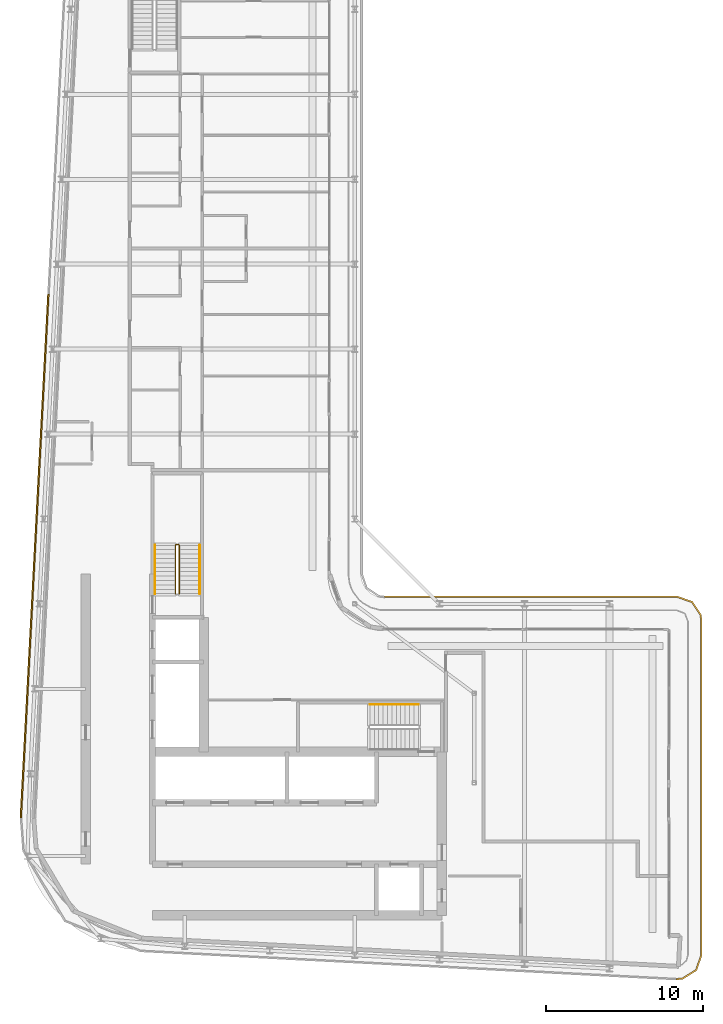
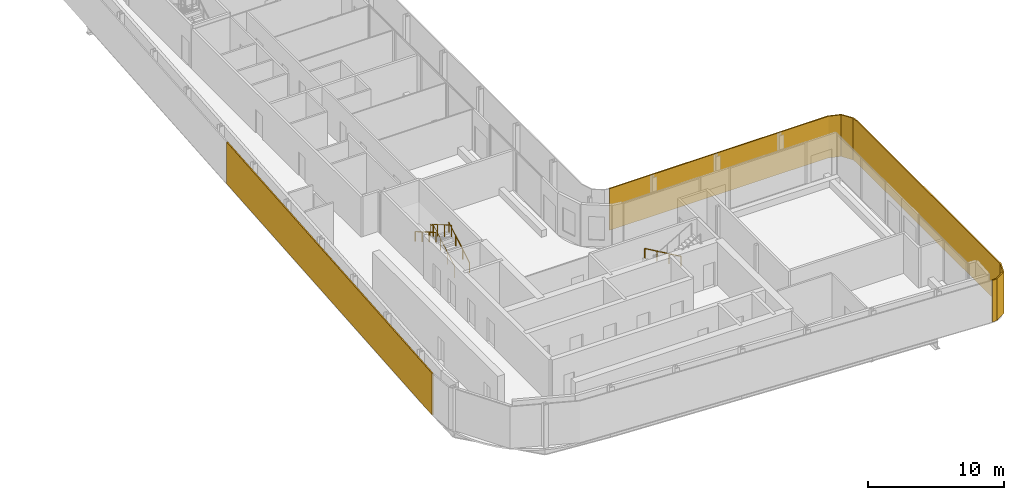
# One storey, part 17 of 20: 4 railings, 2 shading devices.
"""IFC4 building model written with IfcOpenShell, lengths in metres."""

from ifc_helpers import new_model, si_unit, direction, frame, origin, origin_2d, place, context, subcontext, project, spatial, polyline, rectangle, circle, outline, extrude, material, layer, layer_set, type_object, element, save


model = new_model("IFC4")

# Units and contexts
model_context = context("Model", 3, precision=1e-05, world=origin(), true_north=direction((0.0, 1.0)))
body_context = subcontext(model_context, "Body", "Model", "MODEL_VIEW")
ifc_project = project(units=[si_unit("LENGTHUNIT", "METRE"), si_unit("AREAUNIT", "SQUARE_METRE"), si_unit("VOLUMEUNIT", "CUBIC_METRE"), si_unit("PLANEANGLEUNIT", "RADIAN"), si_unit("MASSUNIT", "GRAM", prefix="KILO")], contexts=[model_context])

# Site, building, storey
site_placement = place(None, origin())
site = spatial("IfcSite", under=ifc_project, at=site_placement, CompositionType="ELEMENT")
building_placement = place(site_placement, origin())
building = spatial("IfcBuilding", under=site, at=building_placement, Name="Kheshtan School and Residences Tower", CompositionType="ELEMENT")
storey_placement = place(building_placement, frame((0.0, 0.0, 286.39990234375)))
storey = spatial("IfcBuildingStorey", under=building, at=storey_placement, Name="L67", CompositionType="ELEMENT", Elevation=286.39990234375)

# Shading devices
ifc_material_1 = material(Name="Terracotta baguette, extruded ceramic", Category="masonry")
ifc_layer_1 = layer(ifc_material_1, 0.10009765625)
ifc_layer_set_1 = layer_set([ifc_layer_1], Name="Ledge screen, terracotta baguettes")
shading_device_type_1 = type_object("IfcShadingDeviceType", Name="Ledge screen, terracotta baguettes", PredefinedType="USERDEFINED", material=ifc_layer_set_1)
shading_device_1_placement = place(storey_placement, frame((27.24609375, 48.638916015625, 0.0), z_axis=(0.0, 0.0, 1.0), x_axis=(0.052562536748, 0.998617634398, 0.0)))
element("IfcShadingDevice", 1, at=shading_device_1_placement, inside=storey, type_object=shading_device_type_1, Name="Screen L67 4", ObjectType="BAGUETTE", PredefinedType="USERDEFINED", context=body_context, shape_type="SweptSolid", body=[
    extrude(rectangle(XDim=33.341064453125, YDim=0.10009765625, at=origin_2d()), origin(), (0.0, 0.0, 1.0), 3.75),
])
ifc_material_2 = material(Name="Terracotta lattice, extruded ceramic", Category="masonry")
ifc_layer_2 = layer(ifc_material_2, 0.10009765625)
ifc_layer_set_2 = layer_set([ifc_layer_2], Name="Loggia screen, terracotta lattice")
shading_device_type_2 = type_object("IfcShadingDeviceType", Name="Loggia screen, terracotta lattice", PredefinedType="USERDEFINED", material=ifc_layer_set_2)
shading_device_2_placement = place(storey_placement, origin())
element("IfcShadingDevice", 2, at=shading_device_2_placement, inside=storey, type_object=shading_device_type_2, Name="Screen L67 2", ObjectType="SCREEN", PredefinedType="USERDEFINED", context=body_context, shape_type="SweptSolid", body=[
    extrude(outline(polyline([(49.5, 46.0), (68.10009765625, 46.0), (69.012939453125, 45.68994140625), (69.549072265625, 44.887939453125), (69.60009765625, 44.5), (69.60009765625, 23.285888671875), (69.27001953125, 22.346923828125), (68.424072265625, 21.822021484375), (68.02099609375, 21.7880859375), (68.029052734375, 21.68798828125), (68.4560546875, 21.72412109375), (69.35302734375, 22.281005859375), (69.699951171875, 23.26904296875), (69.699951171875, 44.507080078125), (69.64501953125, 44.924072265625), (69.076904296875, 45.77392578125), (68.116943359375, 46.10009765625), (49.5, 46.10009765625), (49.5, 46.0)])), origin(), (0.0, 0.0, 1.0), 3.75),
])

# Railings
ifc_material_3 = material(Name="Stainless steel balustrade", Category="steel")
railing_type_1 = type_object("IfcRailingType", Name="Stair guard 1100", PredefinedType="GUARDRAIL", material=ifc_material_3)
railing_1_placement = place(storey_placement, frame((36.449951171875, 46.25, 0.16259765625)))
element("IfcRailing", 3, at=railing_1_placement, inside=storey, type_object=railing_type_1, Name="L67 ST2 stair guard 1", PredefinedType="GUARDRAIL", context=body_context, shape_type="SweptSolid", body=[
    extrude(circle(Radius=0.02392578125, at=origin_2d()), frame((0.0, 0.0, 1.076171875), z_axis=(0.0, 0.864890721111, 0.501960198159), x_axis=(-1.0, 0.0, 0.0)), (0.0, 0.0, 1.0), 3.561279296875),
    extrude(circle(Radius=0.02392578125, at=origin_2d()), frame((0.0, 3.080078125, 2.86376953125), z_axis=(-0.708833529934, 0.705375805398, 0.0), x_axis=(-0.705375805398, -0.708833529934, 0.0)), (0.0, 0.0, 1.0), 0.070556640625),
    extrude(circle(Radius=0.02392578125, at=origin_2d()), frame((-0.050048828125, 3.1298828125, 2.86376953125), z_axis=(-1.0, 0.0, 0.0), x_axis=(0.0, -1.0, 0.0)), (0.0, 0.0, 1.0), 0.14990234375),
    extrude(circle(Radius=0.02392578125, at=origin_2d()), frame((-0.199951171875, 3.1298828125, 2.86376953125), z_axis=(-0.282693820306, -0.281314826061, 0.917031173188), x_axis=(0.705375805398, -0.708833529934, 0.0)), (0.0, 0.0, 1.0), 0.177001953125),
    extrude(circle(Radius=0.02392578125, at=origin_2d()), frame((-0.25, 3.080078125, 3.02587890625), z_axis=(0.0, -0.864890721111, 0.501960198159), x_axis=(1.0, 0.0, 0.0)), (0.0, 0.0, 1.0), 3.561279296875),
    extrude(circle(Radius=0.02099609375, at=origin_2d()), origin(), (0.0, 0.0, 1.0), 1.052001953125),
    extrude(circle(Radius=0.02099609375, at=origin_2d()), frame((0.0, 1.026611328125, 0.595947265625)), (0.0, 0.0, 1.0), 1.052001953125),
    extrude(circle(Radius=0.02099609375, at=origin_2d()), frame((0.0, 2.053466796875, 1.191650390625)), (0.0, 0.0, 1.0), 1.052001953125),
    extrude(circle(Radius=0.02099609375, at=origin_2d()), frame((0.0, 3.080078125, 1.78759765625)), (0.0, 0.0, 1.0), 1.052001953125),
    extrude(circle(Radius=0.02099609375, at=origin_2d()), frame((-0.050048828125, 3.1298828125, 1.78759765625)), (0.0, 0.0, 1.0), 1.052001953125),
    extrude(circle(Radius=0.02099609375, at=origin_2d()), frame((-0.199951171875, 3.1298828125, 1.78759765625)), (0.0, 0.0, 1.0), 1.052001953125),
    extrude(circle(Radius=0.02099609375, at=origin_2d()), frame((-0.25, 3.080078125, 1.949951171875)), (0.0, 0.0, 1.0), 1.052001953125),
    extrude(circle(Radius=0.02099609375, at=origin_2d()), frame((-0.25, 2.053466796875, 2.5458984375)), (0.0, 0.0, 1.0), 1.052001953125),
    extrude(circle(Radius=0.02099609375, at=origin_2d()), frame((-0.25, 1.026611328125, 3.1416015625)), (0.0, 0.0, 1.0), 1.052001953125),
    extrude(circle(Radius=0.02099609375, at=origin_2d()), frame((-0.25, 0.0, 3.737548828125)), (0.0, 0.0, 1.0), 1.052001953125),
])
ifc_material_4 = material(Name="Stainless steel handrail", Category="steel")
railing_type_2 = type_object("IfcRailingType", Name="Stair handrail 900", PredefinedType="HANDRAIL", material=ifc_material_4)
railing_2_placement = place(storey_placement, frame((51.64990234375, 39.199951171875, 0.16259765625)))
element("IfcRailing", 4, at=railing_2_placement, inside=storey, type_object=railing_type_2, Name="L67 ST1 stair handrail 1", PredefinedType="HANDRAIL", context=body_context, shape_type="SweptSolid", body=[
    extrude(circle(Radius=0.02392578125, at=origin_2d()), frame((0.0, 0.0, 0.8759765625), z_axis=(-0.864873446163, 0.0, 0.501989962173), x_axis=(0.0, -1.0, 0.0)), (0.0, 0.0, 1.0), 3.56103515625),
    extrude(circle(Radius=0.02099609375, at=origin_2d()), origin(), (0.0, 0.0, 1.0), 0.851806640625),
    extrude(circle(Radius=0.02099609375, at=origin_2d()), frame((-1.026611328125, 0.0, 0.595947265625)), (0.0, 0.0, 1.0), 0.851806640625),
    extrude(circle(Radius=0.02099609375, at=origin_2d()), frame((-2.05322265625, 0.0, 1.191650390625)), (0.0, 0.0, 1.0), 0.851806640625),
    extrude(circle(Radius=0.02099609375, at=origin_2d()), frame((-3.079833984375, 0.0, 1.78759765625)), (0.0, 0.0, 1.0), 0.851806640625),
])
railing_3_placement = place(storey_placement, frame((37.75, 46.25, 0.16259765625)))
element("IfcRailing", 5, at=railing_3_placement, inside=storey, type_object=railing_type_2, Name="L67 ST2 stair handrail 1", PredefinedType="HANDRAIL", context=body_context, shape_type="SweptSolid", body=[
    extrude(circle(Radius=0.02392578125, at=origin_2d()), frame((0.0, 0.0, 0.8759765625), z_axis=(0.0, 0.864890721111, 0.501960198159), x_axis=(-1.0, 0.0, 0.0)), (0.0, 0.0, 1.0), 3.561279296875),
    extrude(circle(Radius=0.02099609375, at=origin_2d()), origin(), (0.0, 0.0, 1.0), 0.851806640625),
    extrude(circle(Radius=0.02099609375, at=origin_2d()), frame((0.0, 1.026611328125, 0.595947265625)), (0.0, 0.0, 1.0), 0.851806640625),
    extrude(circle(Radius=0.02099609375, at=origin_2d()), frame((0.0, 2.053466796875, 1.191650390625)), (0.0, 0.0, 1.0), 0.851806640625),
    extrude(circle(Radius=0.02099609375, at=origin_2d()), frame((0.0, 3.080078125, 1.78759765625)), (0.0, 0.0, 1.0), 0.851806640625),
])
railing_4_placement = place(storey_placement, frame((34.89990234375, 49.330078125, 2.112548828125)))
element("IfcRailing", 6, at=railing_4_placement, inside=storey, type_object=railing_type_2, Name="L67 ST2 stair handrail 2", PredefinedType="HANDRAIL", context=body_context, shape_type="SweptSolid", body=[
    extrude(circle(Radius=0.02392578125, at=origin_2d()), frame((0.0, 0.0, 0.8759765625), z_axis=(0.0, -0.864890721111, 0.501960198159), x_axis=(1.0, 0.0, 0.0)), (0.0, 0.0, 1.0), 3.561279296875),
    extrude(circle(Radius=0.02099609375, at=origin_2d()), origin(), (0.0, 0.0, 1.0), 0.851806640625),
    extrude(circle(Radius=0.02099609375, at=origin_2d()), frame((0.0, -1.026611328125, 0.595947265625)), (0.0, 0.0, 1.0), 0.851806640625),
    extrude(circle(Radius=0.02099609375, at=origin_2d()), frame((0.0, -2.053466796875, 1.191650390625)), (0.0, 0.0, 1.0), 0.851806640625),
    extrude(circle(Radius=0.02099609375, at=origin_2d()), frame((0.0, -3.080078125, 1.78759765625)), (0.0, 0.0, 1.0), 0.851806640625),
])

save(model, "model.ifc")
